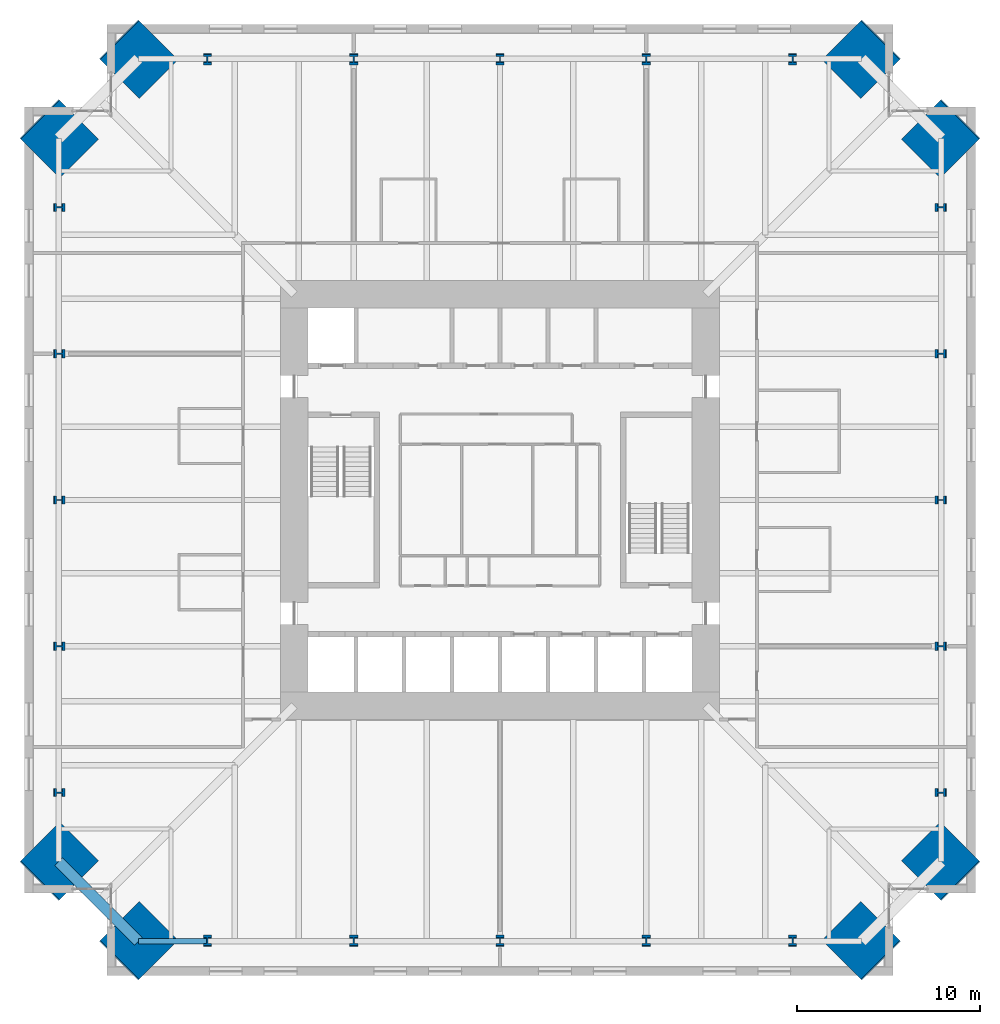
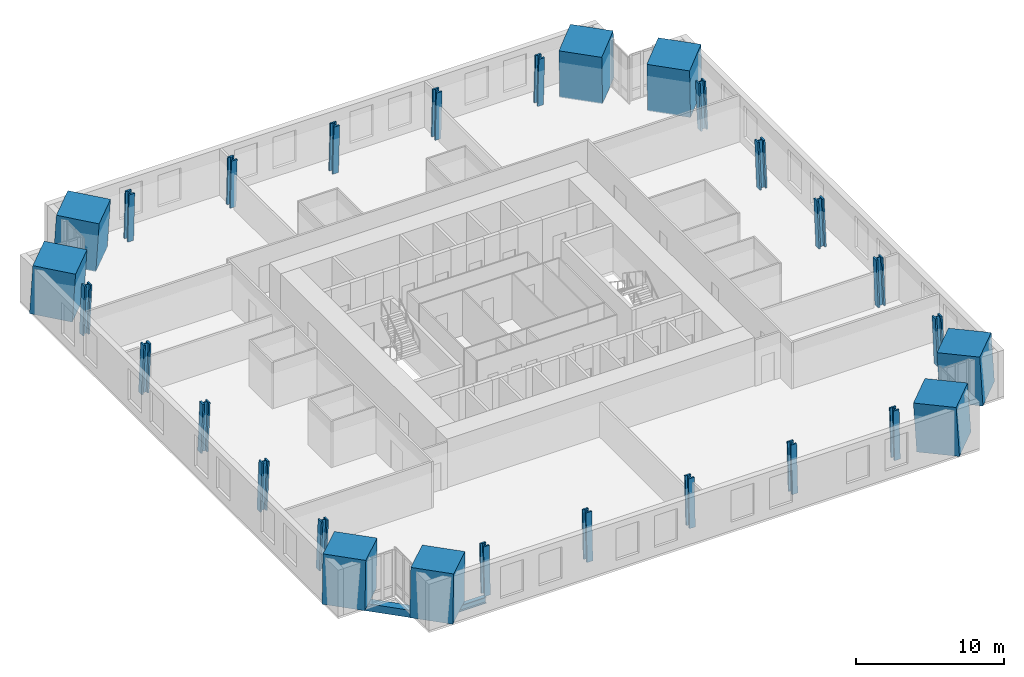
# One storey, part 1 of 18: 28 columns, 2 beams.
"""IFC4 building model written with IfcOpenShell, lengths in metres."""

from ifc_helpers import new_model, si_unit, direction, frame, origin, origin_2d, place, context, subcontext, project, spatial, rectangle, hollow_rectangle, i_section, extrude, material, material_profile, profile_set, type_object, element, save


model = new_model("IFC4")

# Units and contexts
model_context = context("Model", 3, precision=1e-05, world=origin(), true_north=direction((0.0, 1.0)))
body_context = subcontext(model_context, "Body", "Model", "MODEL_VIEW")
ifc_project = project(units=[si_unit("LENGTHUNIT", "METRE"), si_unit("AREAUNIT", "SQUARE_METRE"), si_unit("VOLUMEUNIT", "CUBIC_METRE"), si_unit("PLANEANGLEUNIT", "RADIAN"), si_unit("MASSUNIT", "GRAM", prefix="KILO")], contexts=[model_context])

# Site, building, storey
site_placement = place(None, origin())
site = spatial("IfcSite", under=ifc_project, at=site_placement, CompositionType="ELEMENT")
building_placement = place(site_placement, origin())
building = spatial("IfcBuilding", under=site, at=building_placement, Name="Peilmerk Tower", CompositionType="ELEMENT")
storey_placement = place(building_placement, frame((0.0, 0.0, 167.800048828125)))
storey = spatial("IfcBuildingStorey", under=building, at=storey_placement, Name="L35", CompositionType="ELEMENT", Elevation=167.800048828125)

# Columns
ifc_material_1 = material(Name="Concrete C90/105", Category="concrete")
ifc_material_profile_1 = material_profile(ifc_material_1, rectangle(XDim=3.0, YDim=3.0, at=origin_2d()), Name="RC 3000x3000")
ifc_profile_set_1 = profile_set([ifc_material_profile_1], Name="Concrete C90/105")
column_type_1 = type_object("IfcColumnType", Name="MC2 3000x3000 encased mega column", PredefinedType="COLUMN", material=ifc_profile_set_1)
for number, where, z_axis, x_axis, name in (
    (1, (19.78076171875, 24.130615234375, 0.0), (-0.040278731567, -0.040278731567, 0.998376305592), (0.707106781187, -0.707106781187, 0.0), "Mega column MC2 NE_N L35"),
    (2, (24.130615234375, 19.78076171875, 0.0), (-0.040278731567, -0.040278731567, 0.998376305592), (0.707106781187, -0.707106781187, 0.0), "Mega column MC2 NE_E L35"),
    (3, (24.130615234375, -19.78076171875, 0.0), (-0.040278731567, 0.040278731567, 0.998376305592), (-0.707106781187, -0.707106781187, 0.0), "Mega column MC2 SE_E L35"),
    (4, (19.78076171875, -24.130615234375, 0.0), (-0.040278731567, 0.040278731567, 0.998376305592), (-0.707106781187, -0.707106781187, 0.0), "Mega column MC2 SE_S L35"),
    (5, (-19.78076171875, -24.130615234375, 0.0), (0.040278731567, 0.040278731567, 0.998376305592), (-0.707106781187, 0.707106781187, 0.0), "Mega column MC2 SW_S L35"),
    (6, (-24.130615234375, -19.78076171875, 0.0), (0.040278731567, 0.040278731567, 0.998376305592), (-0.707106781187, 0.707106781187, 0.0), "Mega column MC2 SW_W L35"),
    (7, (-24.130615234375, 19.78076171875, 0.0), (0.040278731567, -0.040278731567, 0.998376305592), (0.707106781187, 0.707106781187, 0.0), "Mega column MC2 NW_W L35"),
    (8, (-19.78076171875, 24.130615234375, 0.0), (0.040278731567, -0.040278731567, 0.998376305592), (0.707106781187, 0.707106781187, 0.0), "Mega column MC2 NW_N L35"),
):
    element("IfcColumn", number, at=place(storey_placement, frame(where, z_axis=z_axis, x_axis=x_axis)), inside=storey, type_object=column_type_1, Name=name, PredefinedType="COLUMN", context=body_context, shape_type="SweptSolid", body=[
        extrude(rectangle(XDim=3.0, YDim=3.0, at=origin_2d()), origin(), (0.0, 0.0, 1.0), 4.006591796875),
    ])
ifc_material_2 = material(Name="Steel S460", Category="steel")
ifc_material_profile_2 = material_profile(ifc_material_2, i_section(OverallWidth=0.4541015625, OverallDepth=0.569091796875, WebThickness=0.077880859375, FlangeThickness=0.125, at=origin_2d()), Name="HD 400x1086")
ifc_profile_set_2 = profile_set([ifc_material_profile_2], Name="Steel S460")
column_type_2 = type_object("IfcColumnType", Name="SC6 HD 400x1086 interior column", PredefinedType="COLUMN", material=ifc_profile_set_2)
for number, where, z_axis, x_axis, name in (
    (9, (0.0, 24.130615234375, 0.0), (0.0, -0.040311445006, 0.999187163349), (1.0, 0.0, 0.0), "Perimeter column N+0 L35"),
    (10, (8.0, 24.130615234375, 0.0), (0.0, -0.040311445006, 0.999187163349), (1.0, 0.0, 0.0), "Perimeter column N-8 L35"),
    (11, (-8.0, 24.130615234375, 0.0), (0.0, -0.040311445006, 0.999187163349), (1.0, 0.0, 0.0), "Perimeter column N+8 L35"),
    (12, (16.0, 24.130615234375, 0.0), (0.0, -0.040311445006, 0.999187163349), (1.0, 0.0, 0.0), "Perimeter column N-16 L35"),
    (13, (-16.0, 24.130615234375, 0.0), (0.0, -0.040311445006, 0.999187163349), (1.0, 0.0, 0.0), "Perimeter column N+16 L35"),
    (14, (24.130615234375, 0.0, 0.0), (-0.040311445006, 0.0, 0.999187163349), (0.0, -1.0, 0.0), "Perimeter column E+0 L35"),
    (15, (24.130615234375, -8.0, 0.0), (-0.040311445006, 0.0, 0.999187163349), (0.0, -1.0, 0.0), "Perimeter column E-8 L35"),
    (16, (24.130615234375, 8.0, 0.0), (-0.040311445006, 0.0, 0.999187163349), (0.0, -1.0, 0.0), "Perimeter column E+8 L35"),
    (17, (24.130615234375, -16.0, 0.0), (-0.040311445006, 0.0, 0.999187163349), (0.0, -1.0, 0.0), "Perimeter column E-16 L35"),
    (18, (24.130615234375, 16.0, 0.0), (-0.040311445006, 0.0, 0.999187163349), (0.0, -1.0, 0.0), "Perimeter column E+16 L35"),
    (19, (0.0, -24.130615234375, 0.0), (0.0, 0.040311445006, 0.999187163349), (-1.0, 0.0, 0.0), "Perimeter column S+0 L35"),
    (20, (-8.0, -24.130615234375, 0.0), (0.0, 0.040311445006, 0.999187163349), (-1.0, 0.0, 0.0), "Perimeter column S-8 L35"),
    (21, (8.0, -24.130615234375, 0.0), (0.0, 0.040311445006, 0.999187163349), (-1.0, 0.0, 0.0), "Perimeter column S+8 L35"),
    (22, (-16.0, -24.130615234375, 0.0), (0.0, 0.040311445006, 0.999187163349), (-1.0, 0.0, 0.0), "Perimeter column S-16 L35"),
    (23, (16.0, -24.130615234375, 0.0), (0.0, 0.040311445006, 0.999187163349), (-1.0, 0.0, 0.0), "Perimeter column S+16 L35"),
    (24, (-24.130615234375, 0.0, 0.0), (0.040311445006, 0.0, 0.999187163349), (0.0, 1.0, 0.0), "Perimeter column W+0 L35"),
    (25, (-24.130615234375, 8.0, 0.0), (0.040311445006, 0.0, 0.999187163349), (0.0, 1.0, 0.0), "Perimeter column W-8 L35"),
    (26, (-24.130615234375, -8.0, 0.0), (0.040311445006, 0.0, 0.999187163349), (0.0, 1.0, 0.0), "Perimeter column W+8 L35"),
    (27, (-24.130615234375, 16.0, 0.0), (0.040311445006, 0.0, 0.999187163349), (0.0, 1.0, 0.0), "Perimeter column W-16 L35"),
    (28, (-24.130615234375, -16.0, 0.0), (0.040311445006, 0.0, 0.999187163349), (0.0, 1.0, 0.0), "Perimeter column W+16 L35"),
):
    element("IfcColumn", number, at=place(storey_placement, frame(where, z_axis=z_axis, x_axis=x_axis)), inside=storey, type_object=column_type_2, Name=name, PredefinedType="COLUMN", context=body_context, shape_type="SweptSolid", body=[
        extrude(i_section(OverallWidth=0.4541015625, OverallDepth=0.569091796875, WebThickness=0.077880859375, FlangeThickness=0.125, at=origin_2d()), origin(), (0.0, 0.0, 1.0), 4.003173828125),
    ])

# Beams
ifc_material_profile_3 = material_profile(ifc_material_2, hollow_rectangle(XDim=0.60009765625, YDim=0.60009765625, WallThickness=0.06005859375, at=origin_2d()), Name="BOX 600x600x60")
ifc_profile_set_3 = profile_set([ifc_material_profile_3], Name="Steel S460")
beam_type_1 = type_object("IfcBeamType", Name="B20 BOX 600x600x60 notch beam", PredefinedType="SPANDREL", material=ifc_profile_set_3)
beam_1_placement = place(storey_placement, frame((-19.78076171875, -24.130615234375, -0.469970703125), z_axis=(-0.707106781187, 0.707106781187, 0.0), x_axis=(-0.707106781187, -0.707106781187, 0.0)))
element("IfcBeam", 29, at=beam_1_placement, inside=storey, type_object=beam_type_1, Name="Notch beam L35", PredefinedType="SPANDREL", context=body_context, shape_type="SweptSolid", body=[
    extrude(hollow_rectangle(XDim=0.60009765625, YDim=0.60009765625, WallThickness=0.06005859375, at=origin_2d()), origin(), (0.0, 0.0, 1.0), 6.151611328125),
])
ifc_material_3 = material(Name="Steel S355", Category="steel")
ifc_material_profile_4 = material_profile(ifc_material_3, i_section(OverallWidth=0.305908203125, OverallDepth=0.52392578125, WebThickness=0.02099609375, FlangeThickness=0.0400390625, at=origin_2d()), Name="HEM 500")
ifc_profile_set_4 = profile_set([ifc_material_profile_4], Name="Steel S355")
beam_type_2 = type_object("IfcBeamType", Name="B33 HEM 500 edge beam", PredefinedType="SPANDREL", material=ifc_profile_set_4)
beam_2_placement = place(storey_placement, frame((-19.78076171875, -24.130615234375, -0.43212890625), z_axis=(1.0, 0.0, 0.0), x_axis=(0.0, 1.0, 0.0)))
element("IfcBeam", 30, at=beam_2_placement, inside=storey, type_object=beam_type_2, Name="Edge beam L35", PredefinedType="SPANDREL", context=body_context, shape_type="SweptSolid", body=[
    extrude(i_section(OverallWidth=0.305908203125, OverallDepth=0.52392578125, WebThickness=0.02099609375, FlangeThickness=0.0400390625, at=origin_2d()), origin(), (0.0, 0.0, 1.0), 3.78076171875),
])

save(model, "model.ifc")
